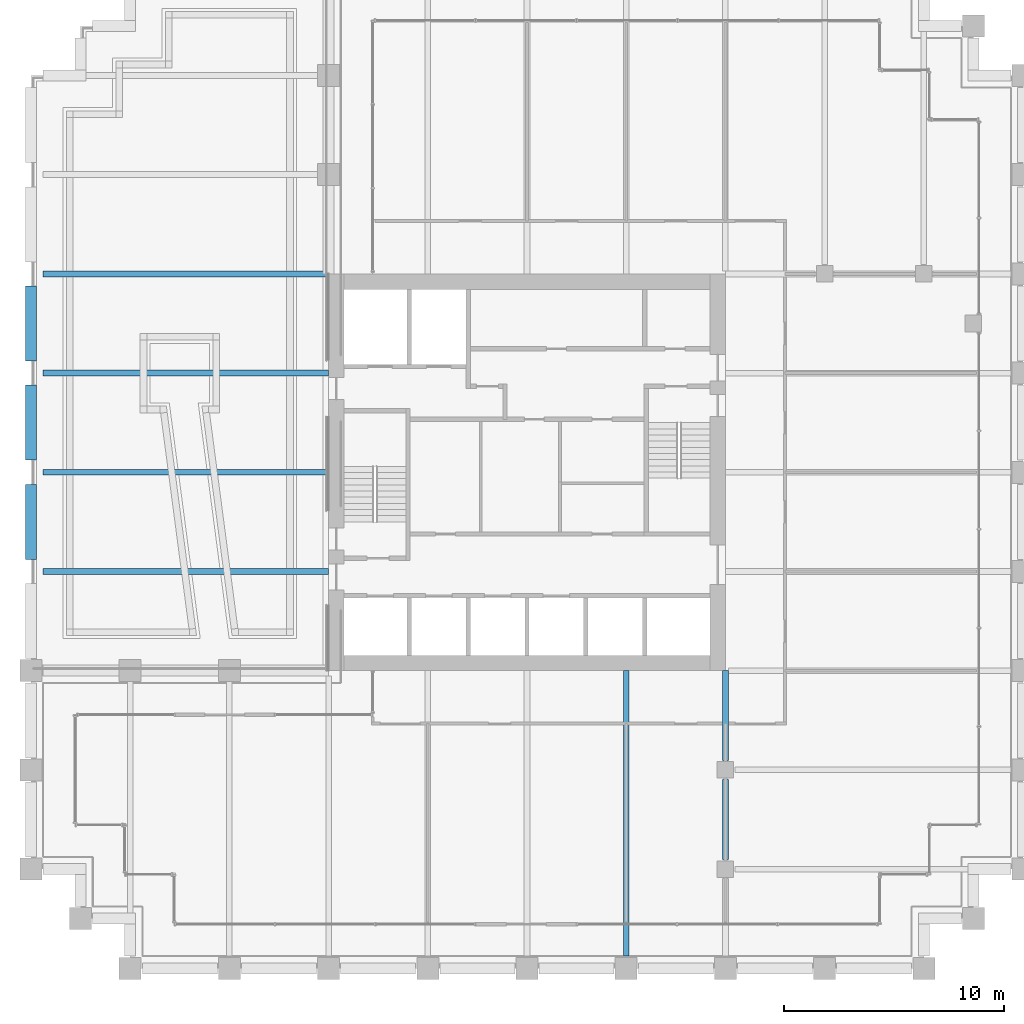
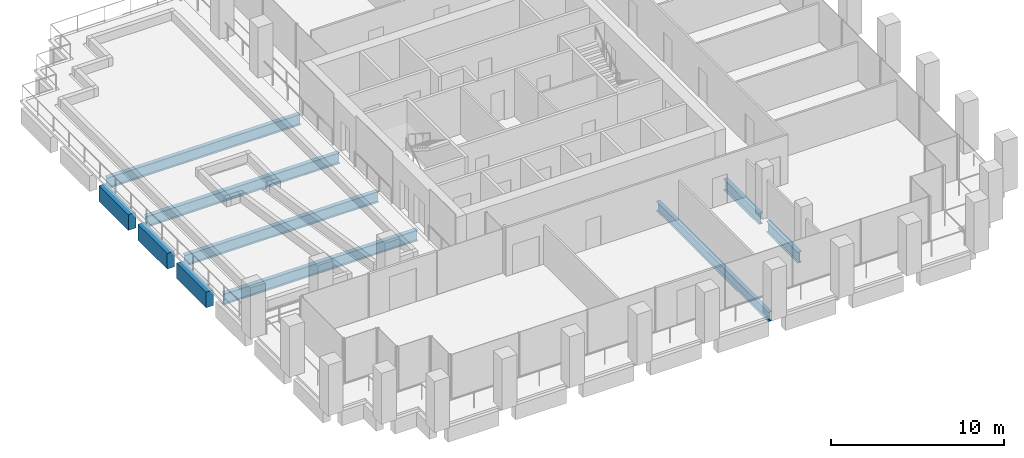
# One storey, part 10 of 52: 10 beams.
"""IFC4 building model written with IfcOpenShell, lengths in metres."""

from ifc_helpers import new_model, si_unit, direction, frame, origin, origin_2d, place, context, subcontext, project, spatial, rectangle, i_section, extrude, material, material_profile, profile_set, type_object, element, save


model = new_model("IFC4")

# Units and contexts
model_context = context("Model", 3, precision=1e-05, world=origin(), true_north=direction((0.0, 1.0)))
body_context = subcontext(model_context, "Body", "Model", "MODEL_VIEW")
ifc_project = project(units=[si_unit("LENGTHUNIT", "METRE"), si_unit("AREAUNIT", "SQUARE_METRE"), si_unit("VOLUMEUNIT", "CUBIC_METRE"), si_unit("PLANEANGLEUNIT", "RADIAN"), si_unit("MASSUNIT", "GRAM", prefix="KILO")], contexts=[model_context])

# Site, building, storey
site_placement = place(None, origin())
site = spatial("IfcSite", under=ifc_project, at=site_placement, CompositionType="ELEMENT")
building_placement = place(site_placement, origin())
building = spatial("IfcBuilding", under=site, at=building_placement, Name="Altepetl Exchange Towers", CompositionType="ELEMENT")
storey_placement = place(building_placement, frame((0.0, 0.0, 92.0)))
storey = spatial("IfcBuildingStorey", under=building, at=storey_placement, Name="L22", CompositionType="ELEMENT", Elevation=92.0)

# Beams
ifc_material_1 = material(Name="Steel S355", Category="steel")
ifc_material_profile_1 = material_profile(ifc_material_1, i_section(OverallWidth=0.25390625, OverallDepth=0.68408203125, WebThickness=0.012451171875, FlangeThickness=0.018798828125, at=origin_2d()), Name="W27X94")
ifc_profile_set_1 = profile_set([ifc_material_profile_1], Name="Steel S355")
beam_type_1 = type_object("IfcBeamType", Name="Floor beam W27X94", PredefinedType="BEAM", material=ifc_profile_set_1)
beam_1_placement = place(storey_placement, frame((54.0, 27.550048828125, -0.491943359375), z_axis=(0.0, 1.0, 0.0), x_axis=(-1.0, 0.0, 0.0)))
element("IfcBeam", 1, at=beam_1_placement, inside=storey, type_object=beam_type_1, Name="bm:A:L22:017", PredefinedType="BEAM", context=body_context, shape_type="SweptSolid", body=[
    extrude(i_section(OverallWidth=0.25390625, OverallDepth=0.68408203125, WebThickness=0.012451171875, FlangeThickness=0.018798828125, at=origin_2d()), origin(), (0.0, 0.0, 1.0), 12.949951171875),
])
ifc_material_profile_2 = material_profile(ifc_material_1, i_section(OverallWidth=0.26806640625, OverallDepth=0.77392578125, WebThickness=0.015380859375, FlangeThickness=0.025390625, at=origin_2d()), Name="W30X132")
ifc_profile_set_2 = profile_set([ifc_material_profile_2], Name="Steel S355")
beam_type_2 = type_object("IfcBeamType", Name="Floor beam W30X132", PredefinedType="BEAM", material=ifc_profile_set_2)
for number, where, z_axis, x_axis, name in (
    (2, (27.550048828125, 45.0, -0.537109375), (1.0, 0.0, 0.0), (0.0, 1.0, 0.0), "bm:A:L22:t000"),
    (3, (27.550048828125, 49.5, -0.537109375), (1.0, 0.0, 0.0), (0.0, 1.0, 0.0), "bm:A:L22:t001"),
    (4, (27.550048828125, 54.0, -0.537109375), (1.0, 0.0, 0.0), (0.0, 1.0, 0.0), "bm:A:L22:t002"),
    (5, (27.550048828125, 58.5, -0.537109375), (1.0, 0.0, 0.0), (0.0, 1.0, 0.0), "bm:A:L22:t003"),
):
    element("IfcBeam", number, at=place(storey_placement, frame(where, z_axis=z_axis, x_axis=x_axis)), inside=storey, type_object=beam_type_2, Name=name, PredefinedType="BEAM", context=body_context, shape_type="SweptSolid", body=[
        extrude(i_section(OverallWidth=0.26806640625, OverallDepth=0.77392578125, WebThickness=0.015380859375, FlangeThickness=0.025390625, at=origin_2d()), origin(), (0.0, 0.0, 1.0), 12.949951171875),
    ])
ifc_material_profile_3 = material_profile(ifc_material_1, i_section(OverallWidth=0.26806640625, OverallDepth=0.77392578125, WebThickness=0.015380859375, FlangeThickness=0.025390625, at=origin_2d()), Name="W30X132")
ifc_profile_set_3 = profile_set([ifc_material_profile_3], Name="Steel S355")
beam_type_3 = type_object("IfcBeamType", Name="Girder W30X132", PredefinedType="BEAM", material=ifc_profile_set_3)
beam_2_placement = place(storey_placement, frame((58.5, 40.5, -0.537109375), z_axis=(0.0, -1.0, 0.0), x_axis=(1.0, 0.0, 0.0)))
element("IfcBeam", 6, at=beam_2_placement, inside=storey, type_object=beam_type_3, Name="gd:A:L22:003", PredefinedType="BEAM", context=body_context, shape_type="SweptSolid", body=[
    extrude(i_section(OverallWidth=0.26806640625, OverallDepth=0.77392578125, WebThickness=0.015380859375, FlangeThickness=0.025390625, at=origin_2d()), origin(), (0.0, 0.0, 1.0), 4.074951171875),
])
beam_3_placement = place(storey_placement, frame((58.5, 35.574951171875, -0.537109375), z_axis=(0.0, -1.0, 0.0), x_axis=(1.0, 0.0, 0.0)))
element("IfcBeam", 7, at=beam_3_placement, inside=storey, type_object=beam_type_3, Name="gd:A:L22:004", PredefinedType="BEAM", context=body_context, shape_type="SweptSolid", body=[
    extrude(i_section(OverallWidth=0.26806640625, OverallDepth=0.77392578125, WebThickness=0.015380859375, FlangeThickness=0.025390625, at=origin_2d()), origin(), (0.0, 0.0, 1.0), 3.64990234375),
])
ifc_material_2 = material(Name="Concrete C50/60 precast with tezontle facing", Category="concrete")
ifc_material_profile_4 = material_profile(ifc_material_2, rectangle(XDim=0.5, YDim=1.10009765625, at=origin_2d()), Name="500 x 1100")
ifc_profile_set_4 = profile_set([ifc_material_profile_4], Name="Concrete C50/60 precast with tezontle facing")
beam_type_4 = type_object("IfcBeamType", Name="Spandrel beam 500x1100 tezontle", PredefinedType="SPANDREL", material=ifc_profile_set_4)
for number, where, z_axis, x_axis, name in (
    (8, (27.0, 57.949951171875, -0.699951171875), (0.0, -1.0, 0.0), (1.0, 0.0, 0.0), "sp:A:L22:t008"),
    (9, (27.0, 53.449951171875, -0.699951171875), (0.0, -1.0, 0.0), (1.0, 0.0, 0.0), "sp:A:L22:t009"),
    (10, (27.0, 48.949951171875, -0.699951171875), (0.0, -1.0, 0.0), (1.0, 0.0, 0.0), "sp:A:L22:t010"),
):
    element("IfcBeam", number, at=place(storey_placement, frame(where, z_axis=z_axis, x_axis=x_axis)), inside=storey, type_object=beam_type_4, Name=name, PredefinedType="SPANDREL", context=body_context, shape_type="SweptSolid", body=[
        extrude(rectangle(XDim=0.5, YDim=1.10009765625, at=origin_2d()), origin(), (0.0, 0.0, 1.0), 3.39990234375),
    ])

save(model, "model.ifc")
